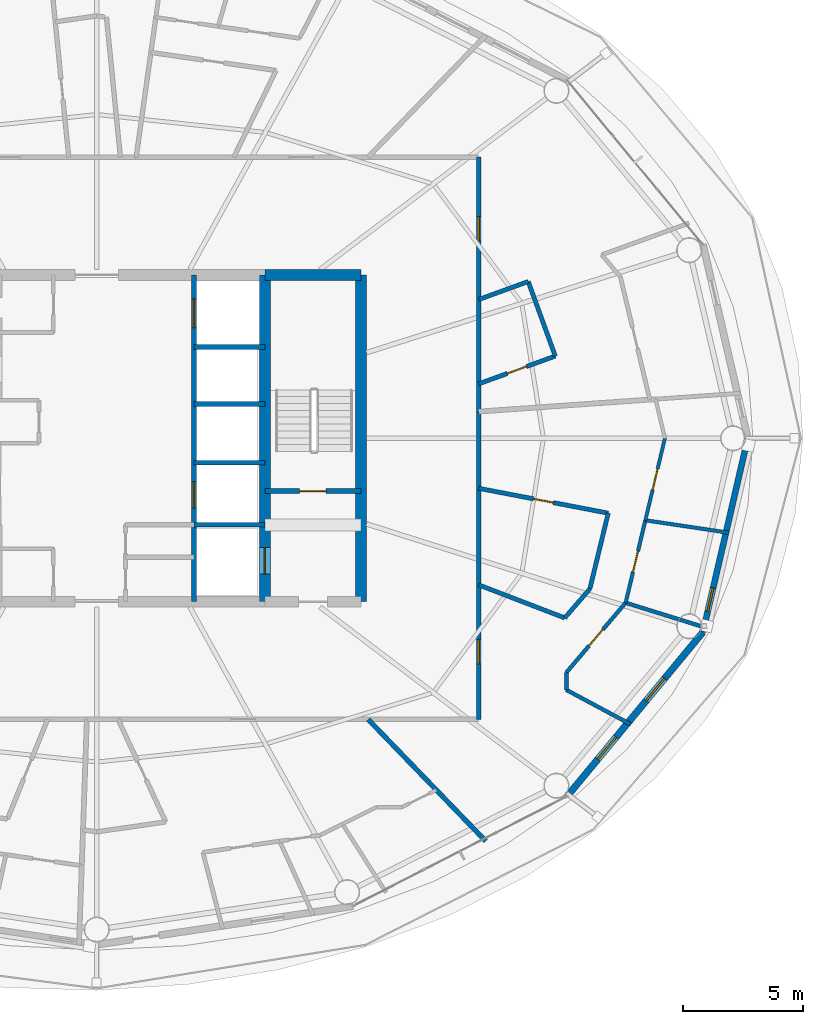
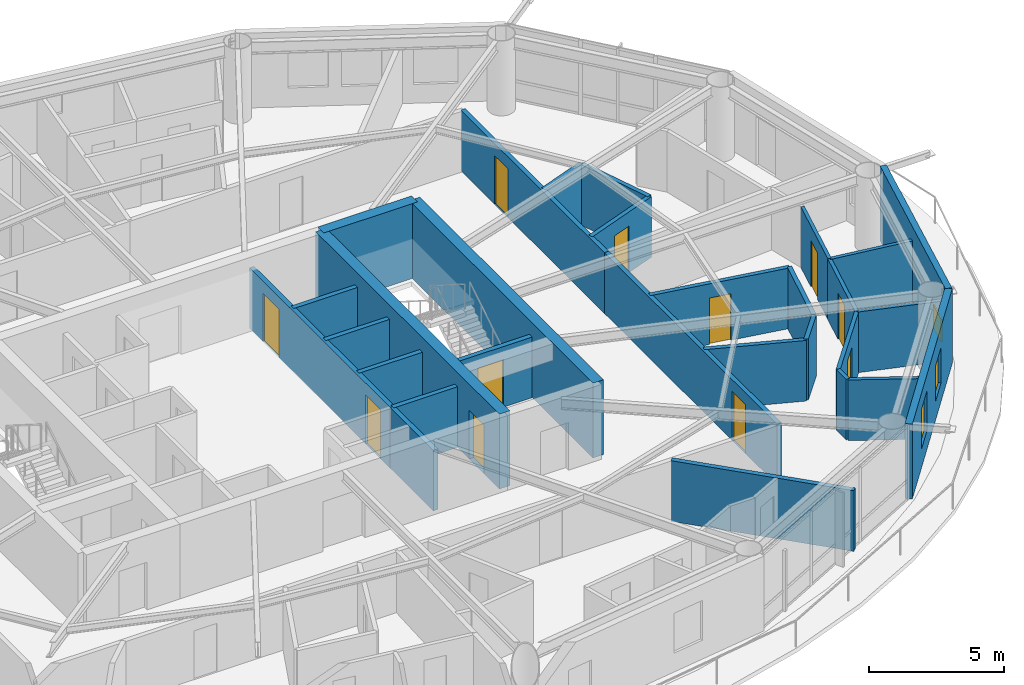
# One storey, part 22 of 27: 29 walls, 11 doors, 3 windows, 14 openings.
"""IFC4 building model written with IfcOpenShell, lengths in metres."""

import ifcopenshell
import ifcopenshell.guid

model = None  # the IFC model being written
_history = None  # IfcOwnerHistory: only IFC2X3 demands one
_inside = {}  # id of a spatial element -> (the spatial element, [elements in it])
_under = {}  # id of a project, library or spatial element -> (it, [spatial elements below it])
_declared = {}  # id of a project -> (the project, [libraries it declares])
_typed = {}  # id of a type object -> (the type object, [elements of that type])
_made_of = {}  # id of a material, layer set ... -> (it, [elements and type objects made of it])


def new_model(schema):
    """Start an empty IFC model of exactly this schema.

    Asked for "IFC4X3", IfcOpenShell would pick the latest addendum, in which some entities
    have other attributes; the version numbers below select the first issue.
    IFC2X3 requires an IfcOwnerHistory on every rooted entity: one is made here for all.
    """
    global model, _history
    if schema == "IFC4X3":
        model = ifcopenshell.file(schema_version=(4, 3, 0, 0))
    else:
        model = ifcopenshell.file(schema=schema)
    _inside.clear()
    _under.clear()
    _declared.clear()
    _typed.clear()
    _made_of.clear()
    _history = None
    if model.schema == "IFC2X3":
        org = make("IfcOrganization", Name="unknown")
        user = make(
            "IfcPersonAndOrganization",
            ThePerson=make("IfcPerson", FamilyName="unknown"),
            TheOrganization=org,
        )
        app = make(
            "IfcApplication",
            ApplicationDeveloper=org,
            Version="unknown",
            ApplicationFullName="unknown",
            ApplicationIdentifier="unknown",
        )
        _history = make(
            "IfcOwnerHistory",
            OwningUser=user,
            OwningApplication=app,
            ChangeAction="ADDED",
            CreationDate=0,
        )
    return model


def make(cls, **values):
    """One entity of the class cls with the attributes given. An attribute that is None is left unset."""
    return model.create_entity(
        cls, **{name: value for name, value in values.items() if value is not None}
    )


def rooted(cls, **values):
    """An entity with a GlobalId (a new one), such as an element, a storey or a relation."""
    return make(cls, GlobalId=ifcopenshell.guid.new(), OwnerHistory=_history, **values)


def si_unit(unit_type, name, prefix=None):
    """IfcSIUnit, for example si_unit("LENGTHUNIT", "METRE", prefix="MILLI")."""
    return make("IfcSIUnit", UnitType=unit_type, Prefix=prefix, Name=name)


def assignment(units):
    """IfcUnitAssignment: the units of a project."""
    return None if units is None else make("IfcUnitAssignment", Units=units)


def point(xyz):
    """IfcCartesianPoint."""
    return None if xyz is None else make("IfcCartesianPoint", Coordinates=xyz)


def direction(xyz):
    """IfcDirection."""
    return None if xyz is None else make("IfcDirection", DirectionRatios=xyz)


def frame(location, z_axis=None, x_axis=None):
    """IfcAxis2Placement3D, a coordinate frame: its origin and axes. An axis left out is left unset."""
    return make(
        "IfcAxis2Placement3D",
        Location=point(location),
        Axis=direction(z_axis),
        RefDirection=direction(x_axis),
    )


def frame_2d(location, x_axis=None):
    """IfcAxis2Placement2D, a coordinate frame in the plane: its origin and x axis."""
    return make(
        "IfcAxis2Placement2D", Location=point(location), RefDirection=direction(x_axis)
    )


def origin():
    """The frame at (0, 0, 0) with its axes left unset."""
    return frame((0.0, 0.0, 0.0))


def place(relative_to, where):
    """IfcLocalPlacement: puts the frame where relative to a parent placement (None: the world)."""
    return make(
        "IfcLocalPlacement", PlacementRelTo=relative_to, RelativePlacement=where
    )


def context(
    kind, dimensions, precision=None, world=None, true_north=None, identifier=None
):
    """IfcGeometricRepresentationContext, for example the 3D "Model" context."""
    return make(
        "IfcGeometricRepresentationContext",
        ContextIdentifier=identifier,
        ContextType=kind,
        CoordinateSpaceDimension=dimensions,
        Precision=precision,
        WorldCoordinateSystem=world,
        TrueNorth=true_north,
    )


def subcontext(parent, identifier, kind, view, scale=None):
    """IfcGeometricRepresentationSubContext, for example "Body" below "Model"."""
    return make(
        "IfcGeometricRepresentationSubContext",
        ContextIdentifier=identifier,
        ContextType=kind,
        ParentContext=parent,
        TargetScale=scale,
        TargetView=view,
    )


def project(units=None, contexts=None):
    """IfcProject with its units and contexts."""
    return rooted(
        "IfcProject",
        Name="project",
        RepresentationContexts=contexts,
        UnitsInContext=assignment(units),
    )


def spatial(cls, under=None, at=None, **own):
    """A site, building, storey or space (cls), placed at a placement, below another one or the project."""
    s = rooted(cls, ObjectPlacement=at, **own)
    if under is not None:
        _under.setdefault(under.id(), (under, []))[1].append(s)
    return s


def profile(cls, at=None, kind="AREA", **sizes):
    """A parametric profile (cls). Its sizes go by their IFC names, for example OverallWidth=200.0."""
    return make(cls, ProfileType=kind, Position=at, **sizes)


def rectangle(**sizes):
    """IfcRectangleProfileDef."""
    return profile("IfcRectangleProfileDef", **sizes)


def extrude(swept, where, along, depth):
    """IfcExtrudedAreaSolid: the profile swept, set in the frame where, extruded along a direction by depth."""
    return make(
        "IfcExtrudedAreaSolid",
        SweptArea=swept,
        Position=where,
        ExtrudedDirection=direction(along),
        Depth=depth,
    )


def shape(context_of_items, identifier, shape_type, items):
    """IfcShapeRepresentation: the items that make up one representation, for example the "Body"."""
    return make(
        "IfcShapeRepresentation",
        ContextOfItems=context_of_items,
        RepresentationIdentifier=identifier,
        RepresentationType=shape_type,
        Items=items,
    )


def material(Name=None, Category=None):
    """IfcMaterial."""
    return make("IfcMaterial", Name=Name, Category=Category)


def layer(
    of_material, thickness, ventilated=None, Name=None, Category=None, Priority=None
):
    """IfcMaterialLayer: one layer of a wall or slab, of a material (None: an air gap)."""
    return make(
        "IfcMaterialLayer",
        Material=of_material,
        LayerThickness=thickness,
        IsVentilated=ventilated,
        Name=Name,
        Category=Category,
        Priority=Priority,
    )


def layer_set(layers, Name=None):
    """IfcMaterialLayerSet."""
    return make("IfcMaterialLayerSet", MaterialLayers=layers, LayerSetName=Name)


def made_of(thing, what):
    """Note that an element or type object is made of a material, layer set ...; save() writes the relation."""
    if what is not None:
        _made_of.setdefault(what.id(), (what, []))[1].append(thing)
    return thing


def type_object(cls, material=None, **own):
    """A type object (cls), such as IfcWallType, which elements share."""
    return made_of(rooted(cls, **own), material)


def element(
    cls,
    number,
    at=None,
    inside=None,
    cuts=None,
    type_object=None,
    material=None,
    context=None,
    identifier="Body",
    shape_type=None,
    held_by="IfcProductDefinitionShape",
    body=None,
    shapes=None,
    **own,
):
    """One element of the class cls, such as IfcWall. Its Tag is "e" and its number.

    at: its placement. inside: the storey or other place that contains it. cuts: it is an
    opening in that element (IfcRelVoidsElement). A single representation is given by context,
    identifier, shape_type and body (its items); several are given by shapes. held_by: the class
    of the entity that holds the representations. save() writes the other relations.
    """
    e = rooted(cls, Tag="e%d" % number, ObjectPlacement=at, **own)
    if body is not None:
        shapes = [shape(context, identifier, shape_type, body)]
    if shapes is not None:
        e.Representation = make(held_by, Representations=shapes)
    if inside is not None:
        _inside.setdefault(inside.id(), (inside, []))[1].append(e)
    if cuts is not None:
        rooted(
            "IfcRelVoidsElement", RelatingBuildingElement=cuts, RelatedOpeningElement=e
        )
    if type_object is not None:
        _typed.setdefault(type_object.id(), (type_object, []))[1].append(e)
    return made_of(e, material)


def fill(opening, filler):
    """IfcRelFillsElement: the door or window that sits in an opening."""
    return rooted(
        "IfcRelFillsElement",
        RelatingOpeningElement=opening,
        RelatedBuildingElement=filler,
    )


def aggregate(whole, parts):
    """IfcRelAggregates: a whole, such as a stair, and the parts it consists of."""
    return rooted("IfcRelAggregates", RelatingObject=whole, RelatedObjects=parts)


def save(model, path):
    """Write the relations noted so far, then the file.

    IfcRelAggregates (storeys below a building ...), IfcRelContainedInSpatialStructure (elements
    in a storey), IfcRelDefinesByType, IfcRelAssociatesMaterial and IfcRelDeclares: one each for
    every whole, place, type object, material and project.
    """
    for whole, parts in _under.values():
        aggregate(whole, parts)
    for where, things in _inside.values():
        rooted(
            "IfcRelContainedInSpatialStructure",
            RelatedElements=things,
            RelatingStructure=where,
        )
    for kind, things in _typed.values():
        rooted("IfcRelDefinesByType", RelatedObjects=things, RelatingType=kind)
    for what, things in _made_of.values():
        rooted("IfcRelAssociatesMaterial", RelatedObjects=things, RelatingMaterial=what)
    for by, libraries in _declared.values():
        rooted("IfcRelDeclares", RelatingContext=by, RelatedDefinitions=libraries)
    model.write(path)


model = new_model("IFC4")

# Units and contexts
model_context = context("Model", 3, precision=1e-05, world=origin(), true_north=direction((0.0, 1.0)))
body_context = subcontext(model_context, "Body", "Model", "MODEL_VIEW")
ifc_project = project(units=[si_unit("LENGTHUNIT", "METRE"), si_unit("AREAUNIT", "SQUARE_METRE"), si_unit("VOLUMEUNIT", "CUBIC_METRE"), si_unit("PLANEANGLEUNIT", "RADIAN"), si_unit("MASSUNIT", "GRAM", prefix="KILO")], contexts=[model_context])

# Site, building, storey
site_placement = place(None, origin())
site = spatial("IfcSite", under=ifc_project, at=site_placement, CompositionType="ELEMENT")
building_placement = place(site_placement, origin())
building = spatial("IfcBuilding", under=site, at=building_placement, Name="Sarneth Arch Tower", CompositionType="ELEMENT")
storey_placement = place(building_placement, frame((0.0, 0.0, 157.800048828125)))
storey = spatial("IfcBuildingStorey", under=building, at=storey_placement, Name="L39", CompositionType="ELEMENT", Elevation=157.800048828125)

# Walls
ifc_material_1 = material(Name="Concrete C50/60", Category="concrete")
ifc_layer_1 = layer(ifc_material_1, 0.449951171875)
ifc_layer_set_1 = layer_set([ifc_layer_1], Name="Concrete C50/60")
wall_type_1 = type_object("IfcWallType", Name="WALL-CORE-450", PredefinedType="SHEAR", material=ifc_layer_set_1)
wall_1_placement = place(storey_placement, frame((55.0, 48.800048828125, 0.0), z_axis=(0.0, 0.0, 1.0), x_axis=(1.0, 0.0, 0.0)))
element("IfcWall", 1, at=wall_1_placement, inside=storey, type_object=wall_type_1, Name="L39 Core shear wall N-E", PredefinedType="SHEAR", context=body_context, shape_type="SweptSolid", body=[
    extrude(rectangle(XDim=4.0, YDim=0.449951171875, at=frame_2d((2.0, 0.0))), origin(), (0.0, 0.0, 1.0), 3.3798828125),
])
wall_2_placement = place(storey_placement, frame((59.0, 35.199951171875, 0.0), z_axis=(0.0, 0.0, 1.0), x_axis=(0.0, 1.0, 0.0)))
element("IfcWall", 2, at=wall_2_placement, inside=storey, type_object=wall_type_1, Name="L39 Core shear wall E", PredefinedType="SHEAR", context=body_context, shape_type="SweptSolid", body=[
    extrude(rectangle(XDim=13.60009765625, YDim=0.449951171875, at=frame_2d((6.800048828125, 0.0))), origin(), (0.0, 0.0, 1.0), 3.3798828125),
])

# Wall, opening, door
wall_3_placement = place(storey_placement, frame((55.0, 35.199951171875, 0.0), z_axis=(0.0, 0.0, 1.0), x_axis=(0.0, 1.0, 0.0)))
wall_3 = element("IfcWall", 3, at=wall_3_placement, inside=storey, type_object=wall_type_1, Name="L39 Core shear wall WEB-E", PredefinedType="SHEAR", context=body_context, shape_type="SweptSolid", body=[
    extrude(rectangle(XDim=13.60009765625, YDim=0.449951171875, at=frame_2d((6.800048828125, 0.0))), origin(), (0.0, 0.0, 1.0), 3.3798828125),
])
opening_1_placement = place(wall_3_placement, frame((1.14990234375, 0.0, 0.0)))
opening_1 = element("IfcOpeningElement", 4, at=opening_1_placement, cuts=wall_3, Name="Opening LD-1", PredefinedType="OPENING", context=body_context, shape_type="SweptSolid", body=[
    extrude(rectangle(XDim=1.10009765625, YDim=2.199951171875, at=frame_2d((0.550048828125, 1.10009765625))), frame((0.0, 0.23486328125, 0.0), z_axis=(0.0, -1.0, 0.0), x_axis=(1.0, 0.0, 0.0)), (0.0, 0.0, 1.0), 0.469970703125),
])
ifc_material_2 = material(Name="Brushed Stainless Steel 304 lift landing door", Category="steel")
door_type_1 = type_object("IfcDoorType", Name="DR-LIFT-SLIDE-1100", OperationType="SLIDING_TO_LEFT", PredefinedType="DOOR", material=ifc_material_2)
door_1_placement = place(opening_1_placement, origin())
door_1 = element("IfcDoor", 5, at=door_1_placement, inside=storey, type_object=door_type_1, Name="L39 Firefighting lift landing door FL-2", OperationType="SLIDING_TO_RIGHT", OverallHeight=2.199951171875, OverallWidth=1.10009765625, PredefinedType="DOOR", context=body_context, shape_type="SweptSolid", body=[
    extrude(rectangle(XDim=1.10009765625, YDim=2.199951171875, at=frame_2d((0.550048828125, 1.10009765625))), frame((0.0, 0.02490234375, 0.0), z_axis=(0.0, -1.0, 0.0), x_axis=(1.0, 0.0, 0.0)), (0.0, 0.0, 1.0), 0.050048828125),
])
fill(opening_1, door_1)

ifc_material_3 = material(Name="Double steel-stud corridor fire wall", Category="steel")
ifc_layer_2 = layer(ifc_material_3, 0.18994140625)
ifc_layer_set_2 = layer_set([ifc_layer_2], Name="Double steel-stud corridor fire wall")
wall_type_2 = type_object("IfcWallType", Name="WALL-CORR-190", PredefinedType="PARTITIONING", material=ifc_layer_set_2)
wall_4_placement = place(storey_placement, frame((63.89990234375, 53.699951171875, 0.0), z_axis=(0.0, 0.0, 1.0), x_axis=(0.0, -1.0, 0.0)))
wall_4 = element("IfcWall", 6, at=wall_4_placement, inside=storey, type_object=wall_type_2, Name="L39 Interior partition W-L39-TP-002", PredefinedType="PARTITIONING", context=body_context, shape_type="SweptSolid", body=[
    extrude(rectangle(XDim=10.620361328125, YDim=0.18994140625, at=frame_2d((5.31005859375, 0.0))), origin(), (0.0, 0.0, 1.0), 2.739990234375),
])
opening_2_placement = place(wall_4_placement, frame((2.479736328125, 0.0, 0.0)))
opening_2 = element("IfcOpeningElement", 7, at=opening_2_placement, cuts=wall_4, Name="Opening FD-08", PredefinedType="OPENING", context=body_context, shape_type="SweptSolid", body=[
    extrude(rectangle(XDim=1.0, YDim=2.199951171875, at=frame_2d((0.5, 1.10009765625))), frame((0.0, 0.10498046875, 0.0), z_axis=(0.0, -1.0, 0.0), x_axis=(1.0, 0.0, 0.0)), (0.0, 0.0, 1.0), 0.2099609375),
])
ifc_material_4 = material(Name="Hardwood timber acoustic fire door", Category="wood")
door_type_2 = type_object("IfcDoorType", Name="DR-FD60-1000", OperationType="SINGLE_SWING_LEFT", PredefinedType="DOOR", material=ifc_material_4)
door_2_placement = place(opening_2_placement, origin())
door_2 = element("IfcDoor", 8, at=door_2_placement, inside=storey, type_object=door_type_2, Name="L39 Interior door DR-L39-U1-ENT", OperationType="SINGLE_SWING_LEFT", OverallHeight=2.199951171875, OverallWidth=1.0, PredefinedType="DOOR", context=body_context, shape_type="SweptSolid", body=[
    extrude(rectangle(XDim=1.0, YDim=2.199951171875, at=frame_2d((0.5, 1.10009765625))), frame((0.0, 0.02490234375, 0.0), z_axis=(0.0, -1.0, 0.0), x_axis=(1.0, 0.0, 0.0)), (0.0, 0.0, 1.0), 0.050048828125),
])
fill(opening_2, door_2)

wall_5_placement = place(storey_placement, frame((63.89990234375, 43.143798828125, 0.0), z_axis=(0.0, 0.0, 1.0), x_axis=(0.0, -1.0, 0.0)))
wall_5 = element("IfcWall", 9, at=wall_5_placement, inside=storey, type_object=wall_type_2, Name="L39 Interior partition W-L39-TP-023", PredefinedType="PARTITIONING", context=body_context, shape_type="SweptSolid", body=[
    extrude(rectangle(XDim=12.84375, YDim=0.18994140625, at=frame_2d((6.421875, 0.0))), origin(), (0.0, 0.0, 1.0), 2.739990234375),
])
opening_3_placement = place(wall_5_placement, frame((9.528564453125, 0.0, 0.0)))
opening_3 = element("IfcOpeningElement", 10, at=opening_3_placement, cuts=wall_5, Name="Opening FD-08", PredefinedType="OPENING", context=body_context, shape_type="SweptSolid", body=[
    extrude(rectangle(XDim=1.0, YDim=2.199951171875, at=frame_2d((0.5, 1.10009765625))), frame((0.0, 0.10498046875, 0.0), z_axis=(0.0, -1.0, 0.0), x_axis=(1.0, 0.0, 0.0)), (0.0, 0.0, 1.0), 0.2099609375),
])
door_3_placement = place(opening_3_placement, origin())
door_3 = element("IfcDoor", 11, at=door_3_placement, inside=storey, type_object=door_type_2, Name="L39 Interior door DR-L39-U8-ENT", OperationType="SINGLE_SWING_LEFT", OverallHeight=2.199951171875, OverallWidth=1.0, PredefinedType="DOOR", context=body_context, shape_type="SweptSolid", body=[
    extrude(rectangle(XDim=1.0, YDim=2.199951171875, at=frame_2d((0.5, 1.10009765625))), frame((0.0, 0.02490234375, 0.0), z_axis=(0.0, -1.0, 0.0), x_axis=(1.0, 0.0, 0.0)), (0.0, 0.0, 1.0), 0.050048828125),
])
fill(opening_3, door_3)

# Wall, opening, window
ifc_material_5 = material(Name="Extruded terracotta rainscreen on Concrete C40/50 backing", Category="masonry")
ifc_layer_3 = layer(ifc_material_5, 0.25)
ifc_layer_set_3 = layer_set([ifc_layer_3], Name="Extruded terracotta rainscreen on Concrete C40/50 backing")
wall_type_3 = type_object("IfcWallType", Name="WALL-EXT-SPAND-250", PredefinedType="SOLIDWALL", material=ifc_layer_set_3)
wall_6_placement = place(storey_placement, frame((73.232421875, 33.93310546875, 0.0), z_axis=(0.0, 0.0, 1.0), x_axis=(0.225473184558, 0.974249374157, 0.0)))
wall_6 = element("IfcWall", 12, at=wall_6_placement, inside=storey, type_object=wall_type_3, Name="L39 Terracotta perimeter wall 16", PredefinedType="SOLIDWALL", context=body_context, shape_type="SweptSolid", body=[
    extrude(rectangle(XDim=8.280029296875, YDim=0.25, at=frame_2d((4.14013671875, 0.0))), origin(), (0.0, 0.0, 1.0), 3.3798828125),
])
opening_4_placement = place(wall_6_placement, frame((0.88623046875, 0.0, 0.35009765625)))
opening_4 = element("IfcOpeningElement", 13, at=opening_4_placement, cuts=wall_6, Name="Opening W-14", PredefinedType="OPENING", context=body_context, shape_type="SweptSolid", body=[
    extrude(rectangle(XDim=1.0, YDim=1.050048828125, at=frame_2d((0.5, 0.52490234375))), frame((0.0, 0.135009765625, 0.0), z_axis=(0.0, -1.0, 0.0), x_axis=(1.0, 0.0, 0.0)), (0.0, 0.0, 1.0), 0.27001953125),
])
ifc_material_6 = material(Name="Thermally broken Aluminium 6063-T6 and low-e laminated IGU", Category="aluminium")
window_type_1 = type_object("IfcWindowType", Name="WIN-TWR-1000x1050", PartitioningType="SINGLE_PANEL", PredefinedType="WINDOW", material=ifc_material_6)
window_1_placement = place(opening_4_placement, origin())
window_1 = element("IfcWindow", 14, at=window_1_placement, inside=storey, type_object=window_type_1, Name="L39 Dwelling bedroom window 04", OverallHeight=1.050048828125, OverallWidth=1.0, PartitioningType="SINGLE_PANEL", PredefinedType="WINDOW", context=body_context, shape_type="SweptSolid", body=[
    extrude(rectangle(XDim=1.0, YDim=1.050048828125, at=frame_2d((0.5, 0.52490234375))), frame((0.0, 0.030029296875, 0.0), z_axis=(0.0, -1.0, 0.0), x_axis=(1.0, 0.0, 0.0)), (0.0, 0.0, 1.0), 0.06005859375),
])
fill(opening_4, window_1)

# Wall, openings, windows
ifc_material_7 = material(Name="Extruded terracotta rainscreen on Concrete C40/50 backing", Category="masonry")
ifc_layer_4 = layer(ifc_material_7, 0.280029296875)
ifc_layer_set_4 = layer_set([ifc_layer_4], Name="Extruded terracotta rainscreen on Concrete C40/50 backing")
wall_type_4 = type_object("IfcWallType", Name="WALL-EXT-TERRA-280", PredefinedType="SOLIDWALL", material=ifc_layer_set_4)
wall_7_placement = place(storey_placement, frame((67.576171875, 27.09423828125, 0.0), z_axis=(0.0, 0.0, 1.0), x_axis=(0.637333477683, 0.770588111915, 0.0)))
wall_7 = element("IfcWall", 15, at=wall_7_placement, inside=storey, type_object=wall_type_4, Name="L39 Terracotta perimeter wall 15", PredefinedType="SOLIDWALL", context=body_context, shape_type="SweptSolid", body=[
    extrude(rectangle(XDim=8.874755859375, YDim=0.280029296875, at=frame_2d((4.4375, 0.0))), origin(), (0.0, 0.0, 1.0), 3.3798828125),
])
opening_5_placement = place(wall_7_placement, frame((2.00390625, 0.0, 0.85009765625)))
opening_5 = element("IfcOpeningElement", 16, at=opening_5_placement, cuts=wall_7, Name="Opening W-09", PredefinedType="OPENING", context=body_context, shape_type="SweptSolid", body=[
    extrude(rectangle(XDim=1.199951171875, YDim=1.800048828125, at=frame_2d((0.60009765625, 0.89990234375))), frame((0.0, 0.14990234375, 0.0), z_axis=(0.0, -1.0, 0.0), x_axis=(1.0, 0.0, 0.0)), (0.0, 0.0, 1.0), 0.300048828125),
])
opening_6_placement = place(wall_7_placement, frame((5.171630859375, 0.0, 0.85009765625)))
opening_6 = element("IfcOpeningElement", 17, at=opening_6_placement, cuts=wall_7, Name="Opening W-10", PredefinedType="OPENING", context=body_context, shape_type="SweptSolid", body=[
    extrude(rectangle(XDim=1.199951171875, YDim=1.60009765625, at=frame_2d((0.60009765625, 0.800048828125))), frame((0.0, 0.14990234375, 0.0), z_axis=(0.0, -1.0, 0.0), x_axis=(1.0, 0.0, 0.0)), (0.0, 0.0, 1.0), 0.300048828125),
])
ifc_material_8 = material(Name="Thermally broken Aluminium 6063-T6 and low-e laminated IGU", Category="aluminium")
window_type_2 = type_object("IfcWindowType", Name="WIN-TWR-1200x1600", PartitioningType="SINGLE_PANEL", PredefinedType="WINDOW", material=ifc_material_8)
window_2_placement = place(opening_6_placement, origin())
window_2 = element("IfcWindow", 18, at=window_2_placement, inside=storey, type_object=window_type_2, Name="L39 Exterior window 15B", OverallHeight=1.60009765625, OverallWidth=1.199951171875, PartitioningType="SINGLE_PANEL", PredefinedType="WINDOW", context=body_context, shape_type="SweptSolid", body=[
    extrude(rectangle(XDim=1.199951171875, YDim=1.60009765625, at=frame_2d((0.60009765625, 0.800048828125))), frame((0.0, 0.030029296875, 0.0), z_axis=(0.0, -1.0, 0.0), x_axis=(1.0, 0.0, 0.0)), (0.0, 0.0, 1.0), 0.06005859375),
])
fill(opening_6, window_2)
ifc_material_9 = material(Name="Thermally broken Aluminium 6063-T6 and low-e laminated IGU", Category="aluminium")
window_type_3 = type_object("IfcWindowType", Name="WIN-TWR-1200x1800", PartitioningType="SINGLE_PANEL", PredefinedType="WINDOW", material=ifc_material_9)
window_3_placement = place(opening_5_placement, origin())
window_3 = element("IfcWindow", 19, at=window_3_placement, inside=storey, type_object=window_type_3, Name="L39 Exterior window 15A", OverallHeight=1.800048828125, OverallWidth=1.199951171875, PartitioningType="SINGLE_PANEL", PredefinedType="WINDOW", context=body_context, shape_type="SweptSolid", body=[
    extrude(rectangle(XDim=1.199951171875, YDim=1.800048828125, at=frame_2d((0.60009765625, 0.89990234375))), frame((0.0, 0.030029296875, 0.0), z_axis=(0.0, -1.0, 0.0), x_axis=(1.0, 0.0, 0.0)), (0.0, 0.0, 1.0), 0.06005859375),
])
fill(opening_5, window_3)

# Wall, opening, door
ifc_material_10 = material(Name="Apartment internal stud partition", Category="gypsum")
ifc_layer_5 = layer(ifc_material_10, 0.139892578125)
ifc_layer_set_5 = layer_set([ifc_layer_5], Name="Apartment internal stud partition")
wall_type_5 = type_object("IfcWallType", Name="WALL-PART-140", PredefinedType="PARTITIONING", material=ifc_layer_set_5)
wall_8_placement = place(storey_placement, frame((70.836181640625, 38.587158203125, 0.0), z_axis=(0.0, 0.0, 1.0), x_axis=(0.231598574747, 0.972811441223, 0.0)))
wall_8 = element("IfcWall", 20, at=wall_8_placement, inside=storey, type_object=wall_type_5, Name="L39 Interior partition W-L39-TP-109", PredefinedType="PARTITIONING", context=body_context, shape_type="SweptSolid", body=[
    extrude(rectangle(XDim=3.50830078125, YDim=0.139892578125, at=frame_2d((1.754150390625, 0.0))), origin(), (0.0, 0.0, 1.0), 2.739990234375),
])
opening_7_placement = place(wall_8_placement, frame((1.30419921875, 0.0, 0.0)))
opening_7 = element("IfcOpeningElement", 21, at=opening_7_placement, cuts=wall_8, Name="Opening ID-01", PredefinedType="OPENING", context=body_context, shape_type="SweptSolid", body=[
    extrude(rectangle(XDim=0.89990234375, YDim=2.10009765625, at=frame_2d((0.449951171875, 1.050048828125))), frame((0.0, 0.079833984375, 0.0), z_axis=(0.0, -1.0, 0.0), x_axis=(1.0, 0.0, 0.0)), (0.0, 0.0, 1.0), 0.159912109375),
])
ifc_material_11 = material(Name="Engineered hardwood flush door", Category="wood")
door_type_3 = type_object("IfcDoorType", Name="DR-INT-900", OperationType="SINGLE_SWING_LEFT", PredefinedType="DOOR", material=ifc_material_11)
door_4_placement = place(opening_7_placement, origin())
door_4 = element("IfcDoor", 22, at=door_4_placement, inside=storey, type_object=door_type_3, Name="L39 Interior door DR-L39-U8-BED2", OperationType="SINGLE_SWING_LEFT", OverallHeight=2.10009765625, OverallWidth=0.89990234375, PredefinedType="DOOR", context=body_context, shape_type="SweptSolid", body=[
    extrude(rectangle(XDim=0.89990234375, YDim=2.10009765625, at=frame_2d((0.449951171875, 1.050048828125))), frame((0.0, 0.02490234375, 0.0), z_axis=(0.0, -1.0, 0.0), x_axis=(1.0, 0.0, 0.0)), (0.0, 0.0, 1.0), 0.050048828125),
])
fill(opening_7, door_4)

ifc_material_12 = material(Name="Acoustic gypsum stud partition", Category="gypsum")
ifc_layer_6 = layer(ifc_material_12, 0.14990234375)
ifc_layer_set_6 = layer_set([ifc_layer_6], Name="Acoustic gypsum stud partition")
wall_type_6 = type_object("IfcWallType", Name="WALL-PART-150", PredefinedType="PARTITIONING", material=ifc_layer_set_6)
wall_9_placement = place(storey_placement, frame((70.015380859375, 35.15283203125, 0.0), z_axis=(0.0, 0.0, 1.0), x_axis=(0.232452361323, 0.972607783084, 0.0)))
wall_9 = element("IfcWall", 23, at=wall_9_placement, inside=storey, type_object=wall_type_6, Name="L39 Interior partition W-L39-TP-108", PredefinedType="PARTITIONING", context=body_context, shape_type="SweptSolid", body=[
    extrude(rectangle(XDim=3.531005859375, YDim=0.14990234375, at=frame_2d((1.765625, 0.0))), origin(), (0.0, 0.0, 1.0), 2.739990234375),
])
opening_8_placement = place(wall_9_placement, frame((1.3154296875, 0.0, 0.0)))
opening_8 = element("IfcOpeningElement", 24, at=opening_8_placement, cuts=wall_9, Name="Opening ID-01", PredefinedType="OPENING", context=body_context, shape_type="SweptSolid", body=[
    extrude(rectangle(XDim=0.89990234375, YDim=2.10009765625, at=frame_2d((0.449951171875, 1.050048828125))), frame((0.0, 0.0849609375, 0.0), z_axis=(0.0, -1.0, 0.0), x_axis=(1.0, 0.0, 0.0)), (0.0, 0.0, 1.0), 0.169921875),
])
door_5_placement = place(opening_8_placement, origin())
door_5 = element("IfcDoor", 25, at=door_5_placement, inside=storey, type_object=door_type_3, Name="L39 Interior door DR-L39-U8-BED1", OperationType="SINGLE_SWING_RIGHT", OverallHeight=2.10009765625, OverallWidth=0.89990234375, PredefinedType="DOOR", context=body_context, shape_type="SweptSolid", body=[
    extrude(rectangle(XDim=0.89990234375, YDim=2.10009765625, at=frame_2d((0.449951171875, 1.050048828125))), frame((0.0, 0.02490234375, 0.0), z_axis=(0.0, -1.0, 0.0), x_axis=(1.0, 0.0, 0.0)), (0.0, 0.0, 1.0), 0.050048828125),
])
fill(opening_8, door_5)

# Wall
wall_10_placement = place(storey_placement, frame((74.31201171875, 38.067626953125, 0.0), z_axis=(0.0, 0.0, 1.0), x_axis=(-0.989013160958, 0.147827492205, 0.0)))
element("IfcWall", 26, at=wall_10_placement, inside=storey, type_object=wall_type_6, Name="L39 Interior partition W-L39-TP-112", PredefinedType="PARTITIONING", context=body_context, shape_type="SweptSolid", body=[
    extrude(rectangle(XDim=3.514404296875, YDim=0.14990234375, at=frame_2d((1.75732421875, 0.0))), origin(), (0.0, 0.0, 1.0), 2.739990234375),
])

# Wall, opening, door
ifc_material_13 = material(Name="Kitchen wet service chase wall", Category="gypsum")
ifc_layer_7 = layer(ifc_material_13, 0.159912109375)
ifc_layer_set_7 = layer_set([ifc_layer_7], Name="Kitchen wet service chase wall")
wall_type_7 = type_object("IfcWallType", Name="WALL-PLUMB-160", PredefinedType="PLUMBINGWALL", material=ifc_layer_set_7)
wall_11_placement = place(storey_placement, frame((67.550048828125, 32.255615234375, 0.0), z_axis=(0.0, 0.0, 1.0), x_axis=(0.648060027494, 0.76158925988, 0.0)))
wall_11 = element("IfcWall", 27, at=wall_11_placement, inside=storey, type_object=wall_type_7, Name="L39 Interior partition W-L39-TP-103", PredefinedType="PLUMBINGWALL", context=body_context, shape_type="SweptSolid", body=[
    extrude(rectangle(XDim=3.80419921875, YDim=0.159912109375, at=frame_2d((1.902099609375, 0.0))), origin(), (0.0, 0.0, 1.0), 2.739990234375),
])
opening_9_placement = place(wall_11_placement, frame((1.4521484375, 0.0, 0.0)))
opening_9 = element("IfcOpeningElement", 28, at=opening_9_placement, cuts=wall_11, Name="Opening ID-01", PredefinedType="OPENING", context=body_context, shape_type="SweptSolid", body=[
    extrude(rectangle(XDim=0.89990234375, YDim=2.10009765625, at=frame_2d((0.449951171875, 1.050048828125))), frame((0.0, 0.08984375, 0.0), z_axis=(0.0, -1.0, 0.0), x_axis=(1.0, 0.0, 0.0)), (0.0, 0.0, 1.0), 0.179931640625),
])
door_6_placement = place(opening_9_placement, origin())
door_6 = element("IfcDoor", 29, at=door_6_placement, inside=storey, type_object=door_type_3, Name="L39 Interior door DR-L39-U8-KIT", OperationType="SINGLE_SWING_LEFT", OverallHeight=2.10009765625, OverallWidth=0.89990234375, PredefinedType="DOOR", context=body_context, shape_type="SweptSolid", body=[
    extrude(rectangle(XDim=0.89990234375, YDim=2.10009765625, at=frame_2d((0.449951171875, 1.050048828125))), frame((0.0, 0.02490234375, 0.0), z_axis=(0.0, -1.0, 0.0), x_axis=(1.0, 0.0, 0.0)), (0.0, 0.0, 1.0), 0.050048828125),
])
fill(opening_9, door_6)

# Walls
wall_12_placement = place(storey_placement, frame((70.015380859375, 35.15283203125, 0.0), z_axis=(0.0, 0.0, 1.0), x_axis=(0.954891562425, -0.296954717101, 0.0)))
element("IfcWall", 30, at=wall_12_placement, inside=storey, type_object=wall_type_7, Name="L39 Interior partition W-L39-TP-111", PredefinedType="PLUMBINGWALL", context=body_context, shape_type="SweptSolid", body=[
    extrude(rectangle(XDim=3.53857421875, YDim=0.159912109375, at=frame_2d((1.769287109375, 0.0))), origin(), (0.0, 0.0, 1.0), 2.739990234375),
])
wall_13_placement = place(storey_placement, frame((70.213623046875, 30.0986328125, 0.0), z_axis=(0.0, 0.0, 1.0), x_axis=(-0.881434325569, 0.472306605616, 0.0)))
element("IfcWall", 31, at=wall_13_placement, inside=storey, type_object=wall_type_7, Name="L39 Interior partition W-L39-TP-101", PredefinedType="PLUMBINGWALL", context=body_context, shape_type="SweptSolid", body=[
    extrude(rectangle(XDim=3.02197265625, YDim=0.159912109375, at=frame_2d((1.510986328125, 0.0))), origin(), (0.0, 0.0, 1.0), 2.739990234375),
])
wall_14_placement = place(storey_placement, frame((67.550048828125, 31.52587890625, 0.0), z_axis=(0.0, 0.0, 1.0), x_axis=(0.0, 1.0, 0.0)))
element("IfcWall", 32, at=wall_14_placement, inside=storey, type_object=wall_type_7, Name="L39 Interior partition W-L39-TP-102", PredefinedType="PLUMBINGWALL", context=body_context, shape_type="SweptSolid", body=[
    extrude(rectangle(XDim=0.729736328125, YDim=0.159912109375, at=frame_2d((0.36474609375, 0.0))), origin(), (0.0, 0.0, 1.0), 2.739990234375),
])

# Wall, opening, door
ifc_material_14 = material(Name="Moisture-resistant plumbing chase wall", Category="gypsum")
ifc_layer_8 = layer(ifc_material_14, 0.179931640625)
ifc_layer_set_8 = layer_set([ifc_layer_8], Name="Moisture-resistant plumbing chase wall")
wall_type_8 = type_object("IfcWallType", Name="WALL-PLUMB-180", PredefinedType="PLUMBINGWALL", material=ifc_layer_set_8)
wall_15_placement = place(storey_placement, frame((69.289794921875, 38.8828125, 0.0), z_axis=(0.0, 0.0, 1.0), x_axis=(-0.98210182834, 0.188350733396, 0.0)))
wall_15 = element("IfcWall", 33, at=wall_15_placement, inside=storey, type_object=wall_type_8, Name="L39 Interior partition W-L39-TP-107", PredefinedType="PLUMBINGWALL", context=body_context, shape_type="SweptSolid", body=[
    extrude(rectangle(XDim=5.488037109375, YDim=0.179931640625, at=frame_2d((2.744140625, 0.0))), origin(), (0.0, 0.0, 1.0), 2.739990234375),
])
opening_10_placement = place(wall_15_placement, frame((2.319091796875, 0.0, 0.0)))
opening_10 = element("IfcOpeningElement", 34, at=opening_10_placement, cuts=wall_15, Name="Opening ID-02", PredefinedType="OPENING", context=body_context, shape_type="SweptSolid", body=[
    extrude(rectangle(XDim=0.85009765625, YDim=2.10009765625, at=frame_2d((0.425048828125, 1.050048828125))), frame((0.0, 0.099853515625, 0.0), z_axis=(0.0, -1.0, 0.0), x_axis=(1.0, 0.0, 0.0)), (0.0, 0.0, 1.0), 0.199951171875),
])
ifc_material_15 = material(Name="Moisture-resistant bathroom timber door", Category="wood")
door_type_4 = type_object("IfcDoorType", Name="DR-INT-850", OperationType="SINGLE_SWING_RIGHT", PredefinedType="DOOR", material=ifc_material_15)
door_7_placement = place(opening_10_placement, origin())
door_7 = element("IfcDoor", 35, at=door_7_placement, inside=storey, type_object=door_type_4, Name="L39 Interior door DR-L39-U8-BATH", OperationType="SINGLE_SWING_RIGHT", OverallHeight=2.10009765625, OverallWidth=0.85009765625, PredefinedType="DOOR", context=body_context, shape_type="SweptSolid", body=[
    extrude(rectangle(XDim=0.85009765625, YDim=2.10009765625, at=frame_2d((0.425048828125, 1.050048828125))), frame((0.0, 0.02490234375, 0.0), z_axis=(0.0, -1.0, 0.0), x_axis=(1.0, 0.0, 0.0)), (0.0, 0.0, 1.0), 0.050048828125),
])
fill(opening_10, door_7)

# Wall
wall_16_placement = place(storey_placement, frame((63.89990234375, 35.896484375, 0.0), z_axis=(0.0, 0.0, 1.0), x_axis=(0.933598121494, -0.3583218491, 0.0)))
element("IfcWall", 36, at=wall_16_placement, inside=storey, type_object=wall_type_8, Name="L39 Interior partition W-L39-TP-104", PredefinedType="PLUMBINGWALL", context=body_context, shape_type="SweptSolid", body=[
    extrude(rectangle(XDim=3.833984375, YDim=0.179931640625, at=frame_2d((1.9169921875, 0.0))), origin(), (0.0, 0.0, 1.0), 2.739990234375),
])

# Wall, opening, door
wall_17_placement = place(storey_placement, frame((63.89990234375, 44.26416015625, 0.0), z_axis=(0.0, 0.0, 1.0), x_axis=(0.939936319397, 0.341349843238, 0.0)))
wall_17 = element("IfcWall", 37, at=wall_17_placement, inside=storey, type_object=wall_type_8, Name="L39 Interior partition W-L39-TP-027", PredefinedType="PLUMBINGWALL", context=body_context, shape_type="SweptSolid", body=[
    extrude(rectangle(XDim=3.39013671875, YDim=0.179931640625, at=frame_2d((1.695068359375, 0.0))), origin(), (0.0, 0.0, 1.0), 2.739990234375),
])
opening_11_placement = place(wall_17_placement, frame((1.27001953125, 0.0, 0.0)))
opening_11 = element("IfcOpeningElement", 38, at=opening_11_placement, cuts=wall_17, Name="Opening ID-02", PredefinedType="OPENING", context=body_context, shape_type="SweptSolid", body=[
    extrude(rectangle(XDim=0.85009765625, YDim=2.10009765625, at=frame_2d((0.425048828125, 1.050048828125))), frame((0.0, 0.099853515625, 0.0), z_axis=(0.0, -1.0, 0.0), x_axis=(1.0, 0.0, 0.0)), (0.0, 0.0, 1.0), 0.199951171875),
])
door_8_placement = place(opening_11_placement, origin())
door_8 = element("IfcDoor", 39, at=door_8_placement, inside=storey, type_object=door_type_4, Name="L39 Interior door DR-L39-U1-BATH", OperationType="SINGLE_SWING_LEFT", OverallHeight=2.10009765625, OverallWidth=0.85009765625, PredefinedType="DOOR", context=body_context, shape_type="SweptSolid", body=[
    extrude(rectangle(XDim=0.85009765625, YDim=2.10009765625, at=frame_2d((0.425048828125, 1.050048828125))), frame((0.0, 0.02490234375, 0.0), z_axis=(0.0, -1.0, 0.0), x_axis=(1.0, 0.0, 0.0)), (0.0, 0.0, 1.0), 0.050048828125),
])
fill(opening_11, door_8)

# Walls
wall_18_placement = place(storey_placement, frame((67.08642578125, 45.42138671875, 0.0), z_axis=(0.0, 0.0, 1.0), x_axis=(-0.341333094487, 0.93994240175, 0.0)))
element("IfcWall", 40, at=wall_18_placement, inside=storey, type_object=wall_type_8, Name="L39 Interior partition W-L39-TP-028", PredefinedType="PLUMBINGWALL", context=body_context, shape_type="SweptSolid", body=[
    extrude(rectangle(XDim=3.299560546875, YDim=0.179931640625, at=frame_2d((1.64990234375, 0.0))), origin(), (0.0, 0.0, 1.0), 2.739990234375),
])
wall_19_placement = place(storey_placement, frame((68.526123046875, 35.731689453125, 0.0), z_axis=(0.0, 0.0, 1.0), x_axis=(0.235531062042, 0.971866821541, 0.0)))
element("IfcWall", 41, at=wall_19_placement, inside=storey, type_object=wall_type_8, Name="L39 Interior partition W-L39-TP-106", PredefinedType="PLUMBINGWALL", context=body_context, shape_type="SweptSolid", body=[
    extrude(rectangle(XDim=3.242431640625, YDim=0.179931640625, at=frame_2d((1.62109375, 0.0))), origin(), (0.0, 0.0, 1.0), 2.739990234375),
])
wall_20_placement = place(storey_placement, frame((65.960205078125, 48.522705078125, 0.0), z_axis=(0.0, 0.0, 1.0), x_axis=(-0.939962415694, -0.341277976263, 0.0)))
element("IfcWall", 42, at=wall_20_placement, inside=storey, type_object=wall_type_8, Name="L39 Interior partition W-L39-TP-029", PredefinedType="PLUMBINGWALL", context=body_context, shape_type="SweptSolid", body=[
    extrude(rectangle(XDim=2.19189453125, YDim=0.179931640625, at=frame_2d((1.095947265625, 0.0))), origin(), (0.0, 0.0, 1.0), 2.739990234375),
])
wall_21_placement = place(storey_placement, frame((67.479248046875, 34.522705078125, 0.0), z_axis=(0.0, 0.0, 1.0), x_axis=(0.654605010187, 0.755971084525, 0.0)))
element("IfcWall", 43, at=wall_21_placement, inside=storey, type_object=wall_type_8, Name="L39 Interior partition W-L39-TP-105", PredefinedType="PLUMBINGWALL", context=body_context, shape_type="SweptSolid", body=[
    extrude(rectangle(XDim=1.599365234375, YDim=0.179931640625, at=frame_2d((0.7998046875, 0.0))), origin(), (0.0, 0.0, 1.0), 2.739990234375),
])

# Wall, opening, door
ifc_material_16 = material(Name="Aerated concrete blockwork C25/30", Category="masonry")
ifc_layer_9 = layer(ifc_material_16, 0.199951171875)
ifc_layer_set_9 = layer_set([ifc_layer_9], Name="Aerated concrete blockwork C25/30")
wall_type_9 = type_object("IfcWallType", Name="WALL-SHAFT-200", PredefinedType="SOLIDWALL", material=ifc_layer_set_9)
wall_22_placement = place(storey_placement, frame((55.0, 39.800048828125, 0.0), z_axis=(0.0, 0.0, 1.0), x_axis=(1.0, 0.0, 0.0)))
wall_22 = element("IfcWall", 44, at=wall_22_placement, inside=storey, type_object=wall_type_9, Name="L39 Interior partition W-L39-ST2-S", PredefinedType="SOLIDWALL", context=body_context, shape_type="SweptSolid", body=[
    extrude(rectangle(XDim=4.0, YDim=0.199951171875, at=frame_2d((2.0, 0.0))), origin(), (0.0, 0.0, 1.0), 2.739990234375),
])
opening_12_placement = place(wall_22_placement, frame((1.449951171875, 0.0, 0.0)))
opening_12 = element("IfcOpeningElement", 45, at=opening_12_placement, cuts=wall_22, Name="Opening FD-03", PredefinedType="OPENING", context=body_context, shape_type="SweptSolid", body=[
    extrude(rectangle(XDim=1.10009765625, YDim=2.14990234375, at=frame_2d((0.550048828125, 1.074951171875))), frame((0.0, 0.10986328125, 0.0), z_axis=(0.0, -1.0, 0.0), x_axis=(1.0, 0.0, 0.0)), (0.0, 0.0, 1.0), 0.219970703125),
])
ifc_material_17 = material(Name="Galvanised Steel S275 fire door set", Category="steel")
door_type_5 = type_object("IfcDoorType", Name="DR-FD90-1100", OperationType="SINGLE_SWING_LEFT", PredefinedType="DOOR", material=ifc_material_17)
door_9_placement = place(opening_12_placement, origin())
door_9 = element("IfcDoor", 46, at=door_9_placement, inside=storey, type_object=door_type_5, Name="L39 Interior door DR-L39-ST2", OperationType="SINGLE_SWING_RIGHT", OverallHeight=2.14990234375, OverallWidth=1.10009765625, PredefinedType="DOOR", context=body_context, shape_type="SweptSolid", body=[
    extrude(rectangle(XDim=1.10009765625, YDim=2.14990234375, at=frame_2d((0.550048828125, 1.074951171875))), frame((0.0, 0.02490234375, 0.0), z_axis=(0.0, -1.0, 0.0), x_axis=(1.0, 0.0, 0.0)), (0.0, 0.0, 1.0), 0.050048828125),
])
fill(opening_12, door_9)

# Walls
wall_23_placement = place(storey_placement, frame((52.050048828125, 35.199951171875, 0.0), z_axis=(0.0, 0.0, 1.0), x_axis=(0.0, 1.0, 0.0)))
element("IfcWall", 47, at=wall_23_placement, inside=storey, type_object=wall_type_9, Name="L39 Interior partition W-L39-FL2-W", PredefinedType="SOLIDWALL", context=body_context, shape_type="SweptSolid", body=[
    extrude(rectangle(XDim=3.199951171875, YDim=0.199951171875, at=frame_2d((1.60009765625, 0.0))), origin(), (0.0, 0.0, 1.0), 2.739990234375),
])
wall_24_placement = place(storey_placement, frame((52.050048828125, 38.39990234375, 0.0), z_axis=(0.0, 0.0, 1.0), x_axis=(1.0, 0.0, 0.0)))
element("IfcWall", 48, at=wall_24_placement, inside=storey, type_object=wall_type_9, Name="L39 Interior partition W-L39-FL2-N", PredefinedType="SOLIDWALL", context=body_context, shape_type="SweptSolid", body=[
    extrude(rectangle(XDim=2.949951171875, YDim=0.199951171875, at=frame_2d((1.47509765625, 0.0))), origin(), (0.0, 0.0, 1.0), 2.739990234375),
])

# Wall, openings, doors
wall_25_placement = place(storey_placement, frame((52.050048828125, 38.39990234375, 0.0), z_axis=(0.0, 0.0, 1.0), x_axis=(0.0, 1.0, 0.0)))
wall_25 = element("IfcWall", 49, at=wall_25_placement, inside=storey, type_object=wall_type_9, Name="L39 Interior partition W-L39-EASTBANK-FRONT", PredefinedType="SOLIDWALL", context=body_context, shape_type="SweptSolid", body=[
    extrude(rectangle(XDim=10.400146484375, YDim=0.199951171875, at=frame_2d((5.2001953125, 0.0))), origin(), (0.0, 0.0, 1.0), 2.739990234375),
])
opening_13_placement = place(wall_25_placement, frame((0.699951171875, 0.0, 0.0)))
opening_13 = element("IfcOpeningElement", 50, at=opening_13_placement, cuts=wall_25, Name="Opening LD-1", PredefinedType="OPENING", context=body_context, shape_type="SweptSolid", body=[
    extrude(rectangle(XDim=1.10009765625, YDim=2.199951171875, at=frame_2d((0.550048828125, 1.10009765625))), frame((0.0, 0.10986328125, 0.0), z_axis=(0.0, -1.0, 0.0), x_axis=(1.0, 0.0, 0.0)), (0.0, 0.0, 1.0), 0.219970703125),
])
opening_14_placement = place(wall_25_placement, frame((8.199951171875, 0.0, 0.0)))
opening_14 = element("IfcOpeningElement", 51, at=opening_14_placement, cuts=wall_25, Name="Opening LD-2", PredefinedType="OPENING", context=body_context, shape_type="SweptSolid", body=[
    extrude(rectangle(XDim=1.199951171875, YDim=2.199951171875, at=frame_2d((0.60009765625, 1.10009765625))), frame((0.0, 0.10986328125, 0.0), z_axis=(0.0, -1.0, 0.0), x_axis=(1.0, 0.0, 0.0)), (0.0, 0.0, 1.0), 0.219970703125),
])
door_10_placement = place(opening_13_placement, origin())
door_10 = element("IfcDoor", 52, at=door_10_placement, inside=storey, type_object=door_type_1, Name="L39 Lift landing door DR-L39-LD-PM2", OperationType="SLIDING_TO_LEFT", OverallHeight=2.199951171875, OverallWidth=1.10009765625, PredefinedType="DOOR", context=body_context, shape_type="SweptSolid", body=[
    extrude(rectangle(XDim=1.10009765625, YDim=2.199951171875, at=frame_2d((0.550048828125, 1.10009765625))), frame((0.0, 0.02490234375, 0.0), z_axis=(0.0, -1.0, 0.0), x_axis=(1.0, 0.0, 0.0)), (0.0, 0.0, 1.0), 0.050048828125),
])
fill(opening_13, door_10)
ifc_material_18 = material(Name="Brushed Stainless Steel 304 service lift door", Category="steel")
door_type_6 = type_object("IfcDoorType", Name="DR-LIFT-SLIDE-1200", OperationType="SLIDING_TO_RIGHT", PredefinedType="DOOR", material=ifc_material_18)
door_11_placement = place(opening_14_placement, origin())
door_11 = element("IfcDoor", 53, at=door_11_placement, inside=storey, type_object=door_type_6, Name="L39 Lift landing door DR-L39-LD-SL1", OperationType="SLIDING_TO_RIGHT", OverallHeight=2.199951171875, OverallWidth=1.199951171875, PredefinedType="DOOR", context=body_context, shape_type="SweptSolid", body=[
    extrude(rectangle(XDim=1.199951171875, YDim=2.199951171875, at=frame_2d((0.60009765625, 1.10009765625))), frame((0.0, 0.02490234375, 0.0), z_axis=(0.0, -1.0, 0.0), x_axis=(1.0, 0.0, 0.0)), (0.0, 0.0, 1.0), 0.050048828125),
])
fill(opening_14, door_11)

# Walls
for number, where, z_axis, x_axis, name in (
    (54, (52.050048828125, 40.97998046875, 0.0), (0.0, 0.0, 1.0), (1.0, 0.0, 0.0), "L39 Interior partition W-L39-EB-DIV-4098"),
    (55, (52.050048828125, 43.419921875, 0.0), (0.0, 0.0, 1.0), (1.0, 0.0, 0.0), "L39 Interior partition W-L39-EB-DIV-4342"),
    (56, (52.050048828125, 45.800048828125, 0.0), (0.0, 0.0, 1.0), (1.0, 0.0, 0.0), "L39 Interior partition W-L39-EB-DIV-4580"),
):
    element("IfcWall", number, at=place(storey_placement, frame(where, z_axis=z_axis, x_axis=x_axis)), inside=storey, type_object=wall_type_9, Name=name, PredefinedType="SOLIDWALL", context=body_context, shape_type="SweptSolid", body=[
        extrude(rectangle(XDim=2.949951171875, YDim=0.199951171875, at=frame_2d((1.47509765625, 0.0))), origin(), (0.0, 0.0, 1.0), 2.739990234375),
    ])
ifc_material_19 = material(Name="Double steel-stud acoustic drywall", Category="steel")
ifc_layer_10 = layer(ifc_material_19, 0.199951171875)
ifc_layer_set_10 = layer_set([ifc_layer_10], Name="Double steel-stud acoustic drywall")
wall_type_10 = type_object("IfcWallType", Name="WALL-UNIT-200", PredefinedType="PARTITIONING", material=ifc_layer_set_10)
wall_26_placement = place(storey_placement, frame((59.298583984375, 30.300048828125, 0.0), z_axis=(0.0, 0.0, 1.0), x_axis=(0.694647685064, -0.719350118952, 0.0)))
element("IfcWall", 57, at=wall_26_placement, inside=storey, type_object=wall_type_10, Name="L39 Interior partition W-L39-TP-097", PredefinedType="PARTITIONING", context=body_context, shape_type="SweptSolid", body=[
    extrude(rectangle(XDim=7.046875, YDim=0.199951171875, at=frame_2d((3.5234375, 0.0))), origin(), (0.0, 0.0, 1.0), 2.739990234375),
])

save(model, "model.ifc")
